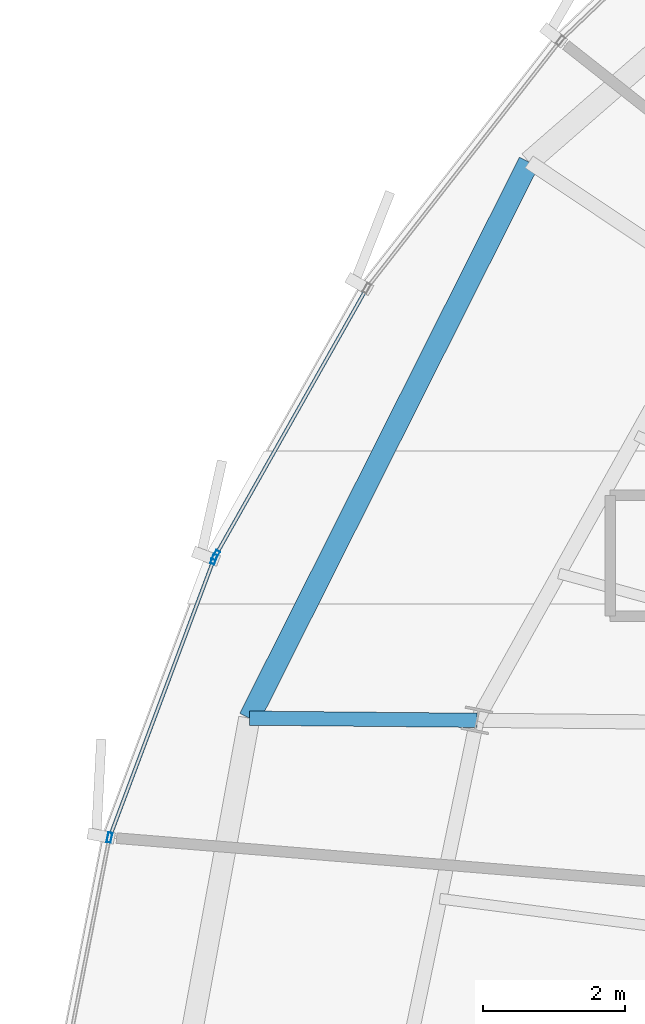
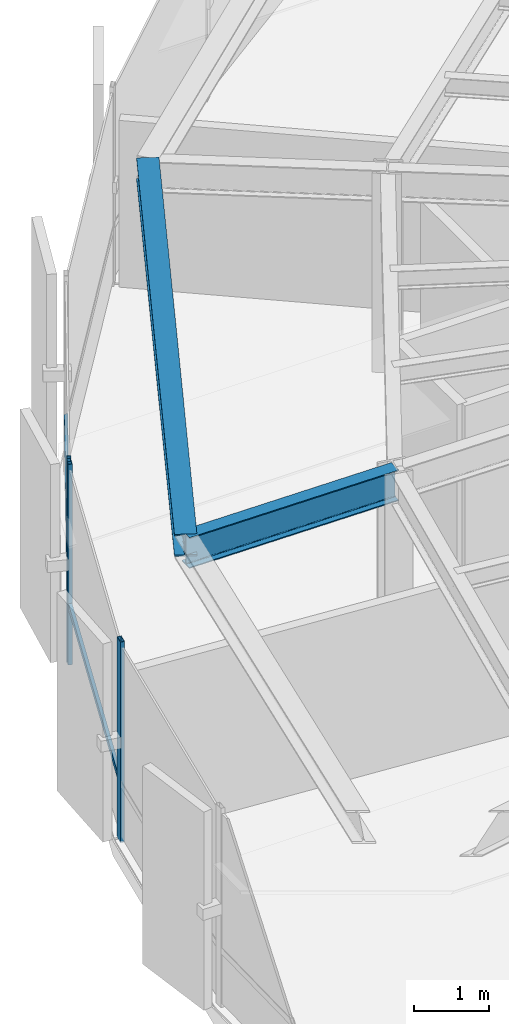
# One storey, part 11 of 35: 5 members, 2 beams, 2 elements without a shape of their own.
"""IFC4 building model written with IfcOpenShell, lengths in metres."""

from ifc_helpers import new_model, si_unit, direction, frame, origin, origin_2d, place, context, subcontext, project, spatial, hollow_rectangle, i_section, extrude, source, transform, mapped, material, layer, layer_set, material_profile, profile_set, type_object, element, aggregate, save


model = new_model("IFC4")

# Units and contexts
model_context = context("Model", 3, precision=1e-05, world=origin(), true_north=direction((0.0, 1.0)))
body_context = subcontext(model_context, "Body", "Model", "MODEL_VIEW")
ifc_project = project(units=[si_unit("LENGTHUNIT", "METRE"), si_unit("AREAUNIT", "SQUARE_METRE"), si_unit("VOLUMEUNIT", "CUBIC_METRE"), si_unit("PLANEANGLEUNIT", "RADIAN"), si_unit("MASSUNIT", "GRAM", prefix="KILO"), si_unit("THERMODYNAMICTEMPERATUREUNIT", "KELVIN")], contexts=[model_context])

# Site, building, storey
site_placement = place(None, origin())
site = spatial("IfcSite", under=ifc_project, at=site_placement, CompositionType="ELEMENT")
building_placement = place(site_placement, origin())
building = spatial("IfcBuilding", under=site, at=building_placement, Name="Kethvar Cultural Tower", CompositionType="ELEMENT")
storey_placement = place(building_placement, frame((0.0, 0.0, 193.89990234375)))
storey = spatial("IfcBuildingStorey", under=building, at=storey_placement, Name="L50", CompositionType="ELEMENT", Elevation=193.89990234375)

# Beams
ifc_material_1 = material(Name="Steel S355J2", Category="steel")
ifc_material_profile_1 = material_profile(ifc_material_1, i_section(OverallWidth=0.199951171875, OverallDepth=0.5, WebThickness=0.01025390625, FlangeThickness=0.01611328125, FilletRadius=0.02099609375, at=origin_2d()), Name="Steel S355J2 — IPE500")
ifc_profile_set_1 = profile_set([ifc_material_profile_1], Name="Steel S355J2 — IPE500")
beam_type_1 = type_object("IfcBeamType", Name="BM-IPE500", PredefinedType="BEAM", material=ifc_profile_set_1)
shared_shape_1 = source(origin(), body_context, "Body", "SweptSolid", [
    extrude(i_section(OverallWidth=0.199951171875, OverallDepth=0.5, WebThickness=0.01025390625, FlangeThickness=0.01611328125, FilletRadius=0.02099609375, at=origin_2d()), origin(), (0.0, 0.0, 1.0), 3.2001953125),
])
beam_1_placement = place(storey_placement, frame((29.02490234375, 31.335693359375, 3.008056640625), z_axis=(-0.999954526979, 0.009536455014, 0.0), x_axis=(-0.009536455014, -0.999954526979, 0.0)))
element("IfcBeam", 1, at=beam_1_placement, inside=storey, type_object=beam_type_1, Name="L50 Perimeter Cantilever Beam RC-08", PredefinedType="BEAM", context=body_context, shape_type="MappedRepresentation", body=[
    mapped(shared_shape_1, transform((0.0, 0.0, 0.0), scale=1.0)),
])
ifc_material_profile_2 = material_profile(ifc_material_1, i_section(OverallWidth=0.300048828125, OverallDepth=0.360107421875, WebThickness=0.012451171875, FlangeThickness=0.0224609375, FilletRadius=0.027099609375, at=origin_2d()), Name="Steel S355J2 — HEB360")
ifc_profile_set_2 = profile_set([ifc_material_profile_2], Name="Steel S355J2 — HEB360")
beam_type_2 = type_object("IfcBeamType", Name="BM-SP360", PredefinedType="SPANDREL", material=ifc_profile_set_2)
shared_shape_2 = source(origin(), body_context, "Body", "SweptSolid", [
    extrude(i_section(OverallWidth=0.300048828125, OverallDepth=0.360107421875, WebThickness=0.012451171875, FlangeThickness=0.0224609375, FilletRadius=0.027099609375, at=origin_2d()), origin(), (0.0, 0.0, 1.0), 8.754150390625),
])
beam_2_placement = place(storey_placement, frame((29.757568359375, 39.187255859375, 3.078125), z_axis=(-0.449231599727, -0.893415340033, 0.0), x_axis=(0.893415340033, -0.449231599727, 0.0)))
element("IfcBeam", 2, at=beam_2_placement, inside=storey, type_object=beam_type_2, Name="L50 Perimeter Spandrel Beam SP-07", PredefinedType="SPANDREL", context=body_context, shape_type="MappedRepresentation", body=[
    mapped(shared_shape_2, transform((0.0, 0.0, 0.0), scale=1.0)),
])

# Curtain wall, member
ifc_material_2 = material(Name="Aluminium 6063-T6", Category="aluminium")
ifc_layer = layer(ifc_material_2, 0.179931640625, Name="Aluminium 6063-T6", Category="aluminium")
ifc_layer_set = layer_set([ifc_layer], Name="Aluminium 6063-T6 (180 mm)")
curtain_wall_type = type_object("IfcCurtainWallType", Name="CW-SYS-04-Z34", PredefinedType="NOTDEFINED", material=ifc_layer_set)
curtain_wall_1_placement = place(storey_placement, origin())
curtain_wall_1 = element("IfcCurtainWall", 3, at=curtain_wall_1_placement, inside=storey, type_object=curtain_wall_type, Name="L50 Curtain Wall Run 02", PredefinedType="NOTDEFINED")
ifc_material_profile_3 = material_profile(ifc_material_2, hollow_rectangle(XDim=0.06005859375, YDim=0.139892578125, WallThickness=0.0048828125, at=origin_2d()), Name="Aluminium 6063-T6 — RHS140x60x5")
ifc_profile_set_3 = profile_set([ifc_material_profile_3], Name="Aluminium 6063-T6 — RHS140x60x5")
member_type_1 = type_object("IfcMemberType", Name="CW-SYS-04-Z34-MUL", PredefinedType="MULLION", material=ifc_profile_set_3)
shared_shape_3 = source(origin(), body_context, "Body", "SweptSolid", [
    extrude(hollow_rectangle(XDim=0.06005859375, YDim=0.139892578125, WallThickness=0.0048828125, at=origin_2d()), origin(), (0.0, 0.0, 1.0), 3.260009765625),
])
member_1_placement = place(storey_placement, frame((25.3525390625, 33.656005859375, 0.0), z_axis=(0.0, 0.0, 1.0), x_axis=(0.87052753116, -0.492119718658, 0.0)))
member_1 = element("IfcMember", 4, at=member_1_placement, type_object=member_type_1, Name="CW-L50-R02 Mullion 7", PredefinedType="MULLION", context=body_context, shape_type="MappedRepresentation", body=[
    mapped(shared_shape_3, transform((0.0, 0.0, 0.0), scale=1.0)),
])

# Curtain wall, members
curtain_wall_2_placement = place(storey_placement, origin())
curtain_wall_2 = element("IfcCurtainWall", 5, at=curtain_wall_2_placement, inside=storey, type_object=curtain_wall_type, Name="L50 Curtain Wall Run 03", PredefinedType="NOTDEFINED")
member_2_placement = place(storey_placement, frame((25.326904296875, 33.60107421875, 0.0), z_axis=(0.0, 0.0, 1.0), x_axis=(0.936402973116, -0.350926590527, 0.0)))
member_2 = element("IfcMember", 6, at=member_2_placement, type_object=member_type_1, Name="CW-L50-R03 Mullion 1", PredefinedType="MULLION", context=body_context, shape_type="MappedRepresentation", body=[
    mapped(shared_shape_3, transform((0.0, 0.0, 0.0), scale=1.0)),
])
member_3_placement = place(storey_placement, frame((23.8583984375, 29.68701171875, 0.0), z_axis=(0.0, 0.0, 1.0), x_axis=(0.98144356772, -0.19175120177, 0.0)))
member_3 = element("IfcMember", 7, at=member_3_placement, type_object=member_type_1, Name="CW-L50-R03 Mullion 2", PredefinedType="MULLION", context=body_context, shape_type="MappedRepresentation", body=[
    mapped(shared_shape_3, transform((0.0, 0.0, 0.0), scale=1.0)),
])

# Member
ifc_material_profile_4 = material_profile(ifc_material_2, hollow_rectangle(XDim=0.050048828125, YDim=0.10009765625, WallThickness=0.00390625, at=origin_2d()), Name="Aluminium 6063-T6 — RHS100x50x4")
ifc_profile_set_4 = profile_set([ifc_material_profile_4], Name="Aluminium 6063-T6 — RHS100x50x4")
member_type_2 = type_object("IfcMemberType", Name="CW-SYS-04-Z34-TRN", PredefinedType="USERDEFINED", material=ifc_profile_set_4)
shared_shape_4 = source(origin(), body_context, "Body", "SweptSolid", [
    extrude(hollow_rectangle(XDim=0.050048828125, YDim=0.10009765625, WallThickness=0.00390625, at=origin_2d()), origin(), (0.0, 0.0, 1.0), 4.2666015625),
])
member_4_placement = place(storey_placement, frame((27.4541015625, 37.373779296875, 0.9501953125), z_axis=(-0.492115708031, -0.870529798404, 0.0), x_axis=(0.870529798404, -0.492115708031, 0.0)))
member_4 = element("IfcMember", 8, at=member_4_placement, type_object=member_type_2, Name="CW-L50-R02 Transom 6", ObjectType="TRANSOM", PredefinedType="USERDEFINED", context=body_context, shape_type="MappedRepresentation", body=[
    mapped(shared_shape_4, transform((0.0, 0.0, 0.0), scale=1.0)),
])

aggregate(curtain_wall_1, [member_1, member_4])

shared_shape_5 = source(origin(), body_context, "Body", "SweptSolid", [
    extrude(hollow_rectangle(XDim=0.050048828125, YDim=0.10009765625, WallThickness=0.00390625, at=origin_2d()), origin(), (0.0, 0.0, 1.0), 4.150634765625),
])
member_5_placement = place(storey_placement, frame((25.3251953125, 33.596923828125, 0.9501953125), z_axis=(-0.35091716193, -0.936406506525, 0.0), x_axis=(0.936406506525, -0.35091716193, 0.0)))
member_5 = element("IfcMember", 9, at=member_5_placement, type_object=member_type_2, Name="CW-L50-R03 Transom 1", ObjectType="TRANSOM", PredefinedType="USERDEFINED", context=body_context, shape_type="MappedRepresentation", body=[
    mapped(shared_shape_5, transform((0.0, 0.0, 0.0), scale=1.0)),
])

aggregate(curtain_wall_2, [member_2, member_3, member_5])

save(model, "model.ifc")
